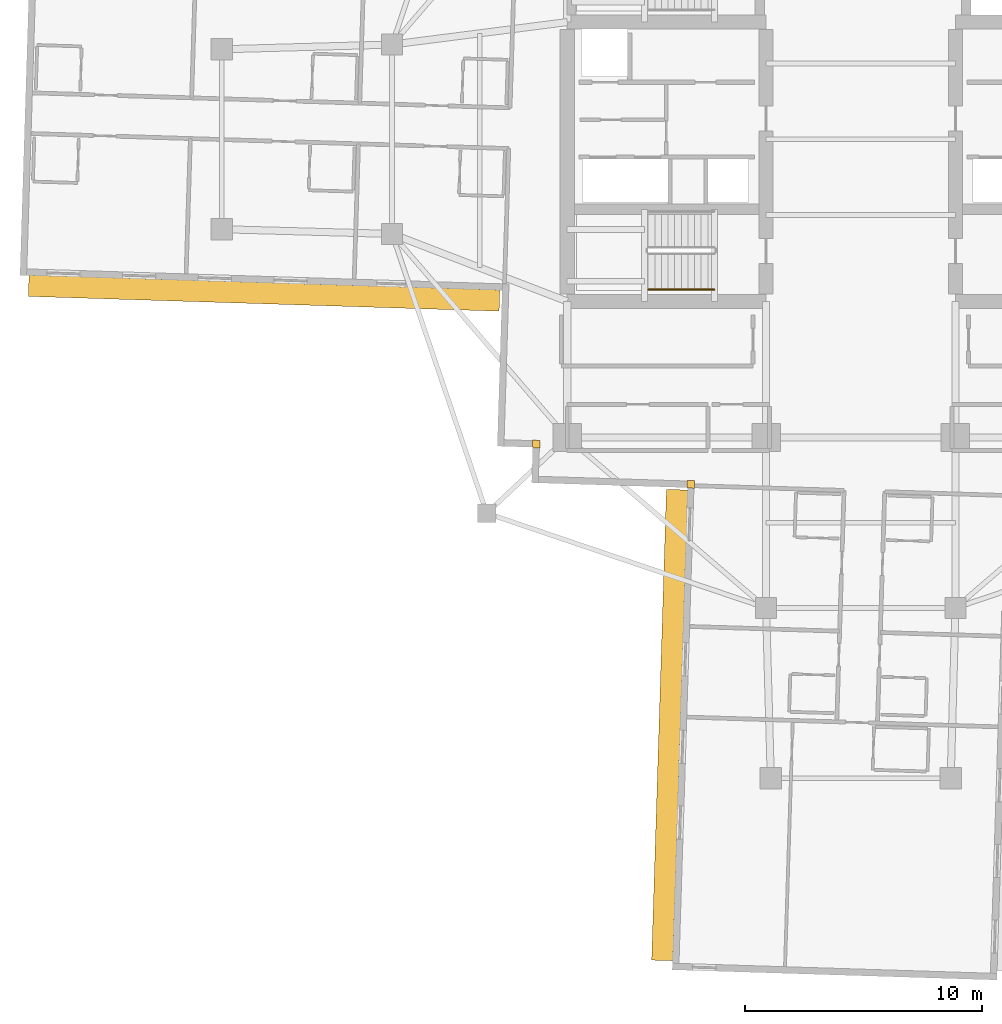
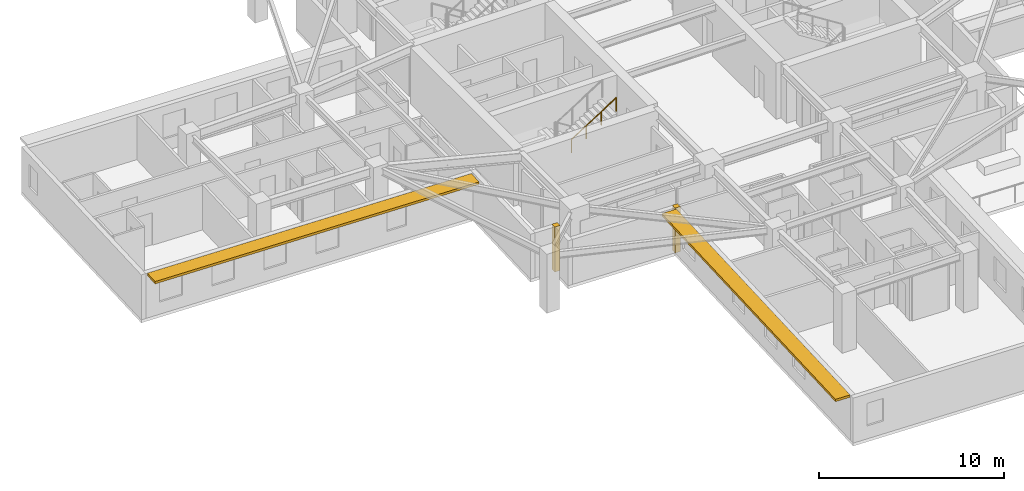
# One storey, part 10 of 14: 2 coverings, 2 shading devices, 1 railing.
"""IFC4 building model written with IfcOpenShell, lengths in metres."""

import ifcopenshell
import ifcopenshell.guid

model = None  # the IFC model being written
_history = None  # IfcOwnerHistory: only IFC2X3 demands one
_inside = {}  # id of a spatial element -> (the spatial element, [elements in it])
_under = {}  # id of a project, library or spatial element -> (it, [spatial elements below it])
_declared = {}  # id of a project -> (the project, [libraries it declares])
_typed = {}  # id of a type object -> (the type object, [elements of that type])
_made_of = {}  # id of a material, layer set ... -> (it, [elements and type objects made of it])


def new_model(schema):
    """Start an empty IFC model of exactly this schema.

    Asked for "IFC4X3", IfcOpenShell would pick the latest addendum, in which some entities
    have other attributes; the version numbers below select the first issue.
    IFC2X3 requires an IfcOwnerHistory on every rooted entity: one is made here for all.
    """
    global model, _history
    if schema == "IFC4X3":
        model = ifcopenshell.file(schema_version=(4, 3, 0, 0))
    else:
        model = ifcopenshell.file(schema=schema)
    _inside.clear()
    _under.clear()
    _declared.clear()
    _typed.clear()
    _made_of.clear()
    _history = None
    if model.schema == "IFC2X3":
        org = make("IfcOrganization", Name="unknown")
        user = make(
            "IfcPersonAndOrganization",
            ThePerson=make("IfcPerson", FamilyName="unknown"),
            TheOrganization=org,
        )
        app = make(
            "IfcApplication",
            ApplicationDeveloper=org,
            Version="unknown",
            ApplicationFullName="unknown",
            ApplicationIdentifier="unknown",
        )
        _history = make(
            "IfcOwnerHistory",
            OwningUser=user,
            OwningApplication=app,
            ChangeAction="ADDED",
            CreationDate=0,
        )
    return model


def make(cls, **values):
    """One entity of the class cls with the attributes given. An attribute that is None is left unset."""
    return model.create_entity(
        cls, **{name: value for name, value in values.items() if value is not None}
    )


def rooted(cls, **values):
    """An entity with a GlobalId (a new one), such as an element, a storey or a relation."""
    return make(cls, GlobalId=ifcopenshell.guid.new(), OwnerHistory=_history, **values)


def si_unit(unit_type, name, prefix=None):
    """IfcSIUnit, for example si_unit("LENGTHUNIT", "METRE", prefix="MILLI")."""
    return make("IfcSIUnit", UnitType=unit_type, Prefix=prefix, Name=name)


def assignment(units):
    """IfcUnitAssignment: the units of a project."""
    return None if units is None else make("IfcUnitAssignment", Units=units)


def point(xyz):
    """IfcCartesianPoint."""
    return None if xyz is None else make("IfcCartesianPoint", Coordinates=xyz)


def direction(xyz):
    """IfcDirection."""
    return None if xyz is None else make("IfcDirection", DirectionRatios=xyz)


def frame(location, z_axis=None, x_axis=None):
    """IfcAxis2Placement3D, a coordinate frame: its origin and axes. An axis left out is left unset."""
    return make(
        "IfcAxis2Placement3D",
        Location=point(location),
        Axis=direction(z_axis),
        RefDirection=direction(x_axis),
    )


def frame_2d(location, x_axis=None):
    """IfcAxis2Placement2D, a coordinate frame in the plane: its origin and x axis."""
    return make(
        "IfcAxis2Placement2D", Location=point(location), RefDirection=direction(x_axis)
    )


def origin():
    """The frame at (0, 0, 0) with its axes left unset."""
    return frame((0.0, 0.0, 0.0))


def origin_2d():
    """The frame at (0, 0) in the plane with its x axis left unset."""
    return frame_2d((0.0, 0.0))


def place(relative_to, where):
    """IfcLocalPlacement: puts the frame where relative to a parent placement (None: the world)."""
    return make(
        "IfcLocalPlacement", PlacementRelTo=relative_to, RelativePlacement=where
    )


def context(
    kind, dimensions, precision=None, world=None, true_north=None, identifier=None
):
    """IfcGeometricRepresentationContext, for example the 3D "Model" context."""
    return make(
        "IfcGeometricRepresentationContext",
        ContextIdentifier=identifier,
        ContextType=kind,
        CoordinateSpaceDimension=dimensions,
        Precision=precision,
        WorldCoordinateSystem=world,
        TrueNorth=true_north,
    )


def subcontext(parent, identifier, kind, view, scale=None):
    """IfcGeometricRepresentationSubContext, for example "Body" below "Model"."""
    return make(
        "IfcGeometricRepresentationSubContext",
        ContextIdentifier=identifier,
        ContextType=kind,
        ParentContext=parent,
        TargetScale=scale,
        TargetView=view,
    )


def project(units=None, contexts=None):
    """IfcProject with its units and contexts."""
    return rooted(
        "IfcProject",
        Name="project",
        RepresentationContexts=contexts,
        UnitsInContext=assignment(units),
    )


def spatial(cls, under=None, at=None, **own):
    """A site, building, storey or space (cls), placed at a placement, below another one or the project."""
    s = rooted(cls, ObjectPlacement=at, **own)
    if under is not None:
        _under.setdefault(under.id(), (under, []))[1].append(s)
    return s


def profile(cls, at=None, kind="AREA", **sizes):
    """A parametric profile (cls). Its sizes go by their IFC names, for example OverallWidth=200.0."""
    return make(cls, ProfileType=kind, Position=at, **sizes)


def rectangle(**sizes):
    """IfcRectangleProfileDef."""
    return profile("IfcRectangleProfileDef", **sizes)


def circle(**sizes):
    """IfcCircleProfileDef."""
    return profile("IfcCircleProfileDef", **sizes)


def extrude(swept, where, along, depth):
    """IfcExtrudedAreaSolid: the profile swept, set in the frame where, extruded along a direction by depth."""
    return make(
        "IfcExtrudedAreaSolid",
        SweptArea=swept,
        Position=where,
        ExtrudedDirection=direction(along),
        Depth=depth,
    )


def shape(context_of_items, identifier, shape_type, items):
    """IfcShapeRepresentation: the items that make up one representation, for example the "Body"."""
    return make(
        "IfcShapeRepresentation",
        ContextOfItems=context_of_items,
        RepresentationIdentifier=identifier,
        RepresentationType=shape_type,
        Items=items,
    )


def material(Name=None, Category=None):
    """IfcMaterial."""
    return make("IfcMaterial", Name=Name, Category=Category)


def layer(
    of_material, thickness, ventilated=None, Name=None, Category=None, Priority=None
):
    """IfcMaterialLayer: one layer of a wall or slab, of a material (None: an air gap)."""
    return make(
        "IfcMaterialLayer",
        Material=of_material,
        LayerThickness=thickness,
        IsVentilated=ventilated,
        Name=Name,
        Category=Category,
        Priority=Priority,
    )


def layer_set(layers, Name=None):
    """IfcMaterialLayerSet."""
    return make("IfcMaterialLayerSet", MaterialLayers=layers, LayerSetName=Name)


def made_of(thing, what):
    """Note that an element or type object is made of a material, layer set ...; save() writes the relation."""
    if what is not None:
        _made_of.setdefault(what.id(), (what, []))[1].append(thing)
    return thing


def type_object(cls, material=None, **own):
    """A type object (cls), such as IfcWallType, which elements share."""
    return made_of(rooted(cls, **own), material)


def element(
    cls,
    number,
    at=None,
    inside=None,
    cuts=None,
    type_object=None,
    material=None,
    context=None,
    identifier="Body",
    shape_type=None,
    held_by="IfcProductDefinitionShape",
    body=None,
    shapes=None,
    **own,
):
    """One element of the class cls, such as IfcWall. Its Tag is "e" and its number.

    at: its placement. inside: the storey or other place that contains it. cuts: it is an
    opening in that element (IfcRelVoidsElement). A single representation is given by context,
    identifier, shape_type and body (its items); several are given by shapes. held_by: the class
    of the entity that holds the representations. save() writes the other relations.
    """
    e = rooted(cls, Tag="e%d" % number, ObjectPlacement=at, **own)
    if body is not None:
        shapes = [shape(context, identifier, shape_type, body)]
    if shapes is not None:
        e.Representation = make(held_by, Representations=shapes)
    if inside is not None:
        _inside.setdefault(inside.id(), (inside, []))[1].append(e)
    if cuts is not None:
        rooted(
            "IfcRelVoidsElement", RelatingBuildingElement=cuts, RelatedOpeningElement=e
        )
    if type_object is not None:
        _typed.setdefault(type_object.id(), (type_object, []))[1].append(e)
    return made_of(e, material)


def aggregate(whole, parts):
    """IfcRelAggregates: a whole, such as a stair, and the parts it consists of."""
    return rooted("IfcRelAggregates", RelatingObject=whole, RelatedObjects=parts)


def save(model, path):
    """Write the relations noted so far, then the file.

    IfcRelAggregates (storeys below a building ...), IfcRelContainedInSpatialStructure (elements
    in a storey), IfcRelDefinesByType, IfcRelAssociatesMaterial and IfcRelDeclares: one each for
    every whole, place, type object, material and project.
    """
    for whole, parts in _under.values():
        aggregate(whole, parts)
    for where, things in _inside.values():
        rooted(
            "IfcRelContainedInSpatialStructure",
            RelatedElements=things,
            RelatingStructure=where,
        )
    for kind, things in _typed.values():
        rooted("IfcRelDefinesByType", RelatedObjects=things, RelatingType=kind)
    for what, things in _made_of.values():
        rooted("IfcRelAssociatesMaterial", RelatedObjects=things, RelatingMaterial=what)
    for by, libraries in _declared.values():
        rooted("IfcRelDeclares", RelatingContext=by, RelatedDefinitions=libraries)
    model.write(path)


model = new_model("IFC4")

# Units and contexts
model_context = context("Model", 3, precision=1e-05, world=origin(), true_north=direction((0.0, 1.0)))
body_context = subcontext(model_context, "Body", "Model", "MODEL_VIEW")
ifc_project = project(units=[si_unit("LENGTHUNIT", "METRE"), si_unit("AREAUNIT", "SQUARE_METRE"), si_unit("VOLUMEUNIT", "CUBIC_METRE"), si_unit("PLANEANGLEUNIT", "RADIAN"), si_unit("MASSUNIT", "GRAM", prefix="KILO")], contexts=[model_context])

# Site, building, storey
site_placement = place(None, origin())
site = spatial("IfcSite", under=ifc_project, at=site_placement, CompositionType="ELEMENT")
building_placement = place(site_placement, origin())
building = spatial("IfcBuilding", under=site, at=building_placement, Name="Qingluan Cross Belvedere", CompositionType="ELEMENT")
storey_placement = place(building_placement, frame((0.0, 0.0, 176.10009765625)))
storey = spatial("IfcBuildingStorey", under=building, at=storey_placement, Name="L44", CompositionType="ELEMENT", Elevation=176.10009765625)

# Coverings
ifc_material_1 = material(Name="Precast concrete C45", Category="concrete")
ifc_layer_1 = layer(ifc_material_1, 0.1201171875, Name="ConcreteSpandrelCladding_120")
ifc_layer_set_1 = layer_set([ifc_layer_1], Name="Precast concrete C45")
covering_type = type_object("IfcCoveringType", Name="ConcreteSpandrelCladding_120", PredefinedType="CLADDING", material=ifc_layer_set_1)
for number, where, z_axis, x_axis, name in (
    (1, (-13.711181640625, -12.875732421875, 0.0), (0.0, 0.0, 1.0), (0.999506560366, -0.031410759078, 0.0), "Corner closure L44-SW1"),
    (2, (-7.181640625, -14.58154296875, 0.0), (0.0, 0.0, 1.0), (0.999506560366, -0.031410759078, 0.0), "Corner closure L44-SW2"),
):
    element("IfcCovering", number, at=place(storey_placement, frame(where, z_axis=z_axis, x_axis=x_axis)), inside=storey, type_object=covering_type, Name=name, PredefinedType="CLADDING", context=body_context, shape_type="SweptSolid", body=[
        extrude(rectangle(XDim=0.320068359375, YDim=0.320068359375, at=origin_2d()), origin(), (0.0, 0.0, 1.0), 2.969970703125),
    ])

# Shading devices
ifc_material_2 = material(Name="Precast concrete C45", Category="concrete")
ifc_layer_2 = layer(ifc_material_2, 0.159912109375, Name="ConcreteSunshadeBand_900")
ifc_layer_set_2 = layer_set([ifc_layer_2], Name="Precast concrete C45")
shading_device_type = type_object("IfcShadingDeviceType", Name="ConcreteSunshadeBand_900", PredefinedType="USERDEFINED", material=ifc_layer_set_2)
for number, where, z_axis, x_axis, name in (
    (3, (-25.206787109375, -6.50146484375, 2.7900390625), (0.0, 0.0, 1.0), (0.999506649124, -0.031407934627, 0.0), "Concrete SUNSHADE L44-WB"),
    (4, (-8.0712890625, -24.74853515625, 2.7900390625), (0.0, 0.0, 1.0), (-0.031407934627, -0.999506649124, 0.0), "Concrete SUNSHADE L44-SA"),
):
    element("IfcShadingDevice", number, at=place(storey_placement, frame(where, z_axis=z_axis, x_axis=x_axis)), inside=storey, type_object=shading_device_type, Name=name, ObjectType="SUNSHADE", PredefinedType="USERDEFINED", context=body_context, shape_type="SweptSolid", body=[
        extrude(rectangle(XDim=19.89990234375, YDim=0.89990234375, at=origin_2d()), origin(), (0.0, 0.0, 1.0), 0.159912109375),
    ])

# Railing
ifc_material_3 = material(Name="Brushed stainless steel tubular handrail", Category="steel")
railing_type = type_object("IfcRailingType", Name="StairPitchHandrail_900", PredefinedType="HANDRAIL", material=ifc_material_3)
railing_placement = place(storey_placement, frame((-8.97998046875, -6.35009765625, 2.127197265625)))
element("IfcRailing", 5, at=railing_placement, inside=storey, type_object=railing_type, Name="L44 ST1 stair handrail 2", PredefinedType="HANDRAIL", context=body_context, shape_type="SweptSolid", body=[
    extrude(circle(Radius=0.02392578125, at=origin_2d()), frame((0.0, 0.0, 0.8759765625), z_axis=(0.844908973607, 0.0, 0.534910110503), x_axis=(0.0, 1.0, 0.0)), (0.0, 0.0, 1.0), 3.31396484375),
    extrude(circle(Radius=0.02099609375, at=origin_2d()), origin(), (0.0, 0.0, 1.0), 0.851806640625),
    extrude(circle(Radius=0.02099609375, at=origin_2d()), frame((0.933349609375, 0.0, 0.5908203125)), (0.0, 0.0, 1.0), 0.851806640625),
    extrude(circle(Radius=0.02099609375, at=origin_2d()), frame((1.86669921875, 0.0, 1.181884765625)), (0.0, 0.0, 1.0), 0.851806640625),
    extrude(circle(Radius=0.02099609375, at=origin_2d()), frame((2.800048828125, 0.0, 1.772705078125)), (0.0, 0.0, 1.0), 0.851806640625),
])

save(model, "model.ifc")
